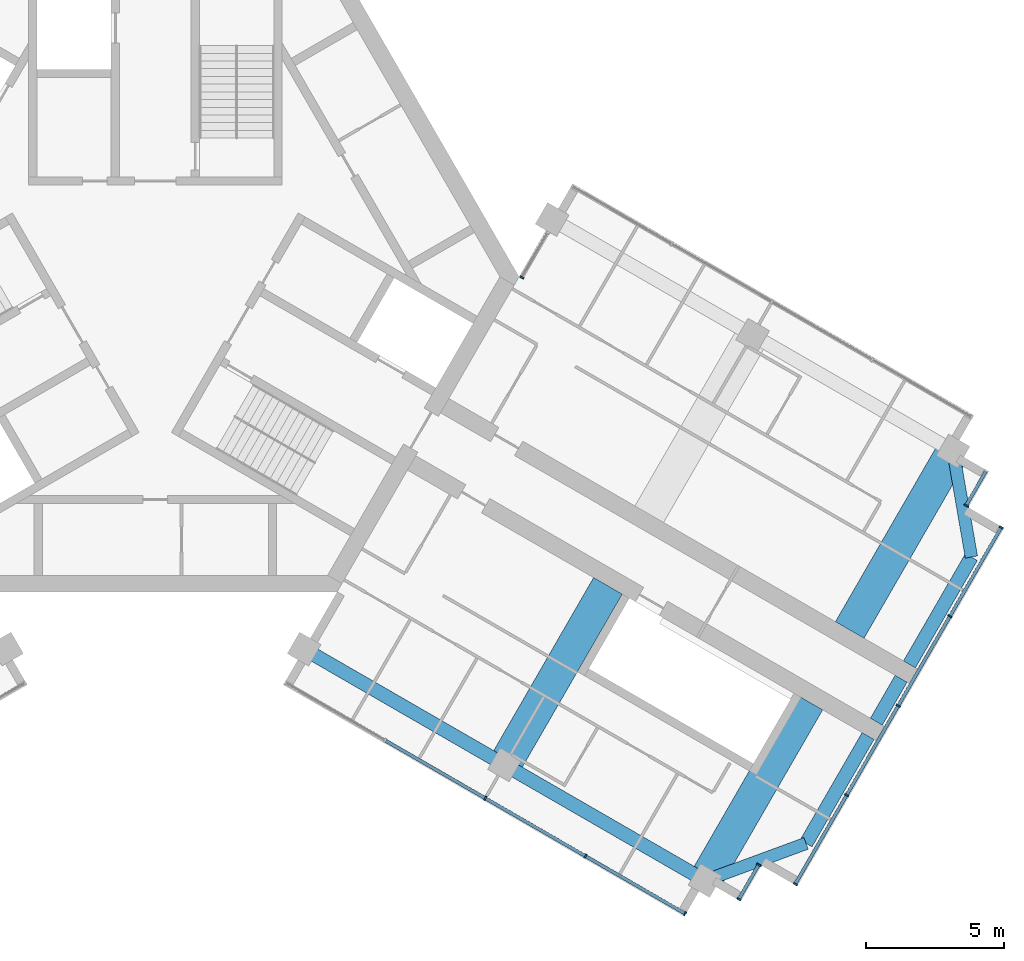
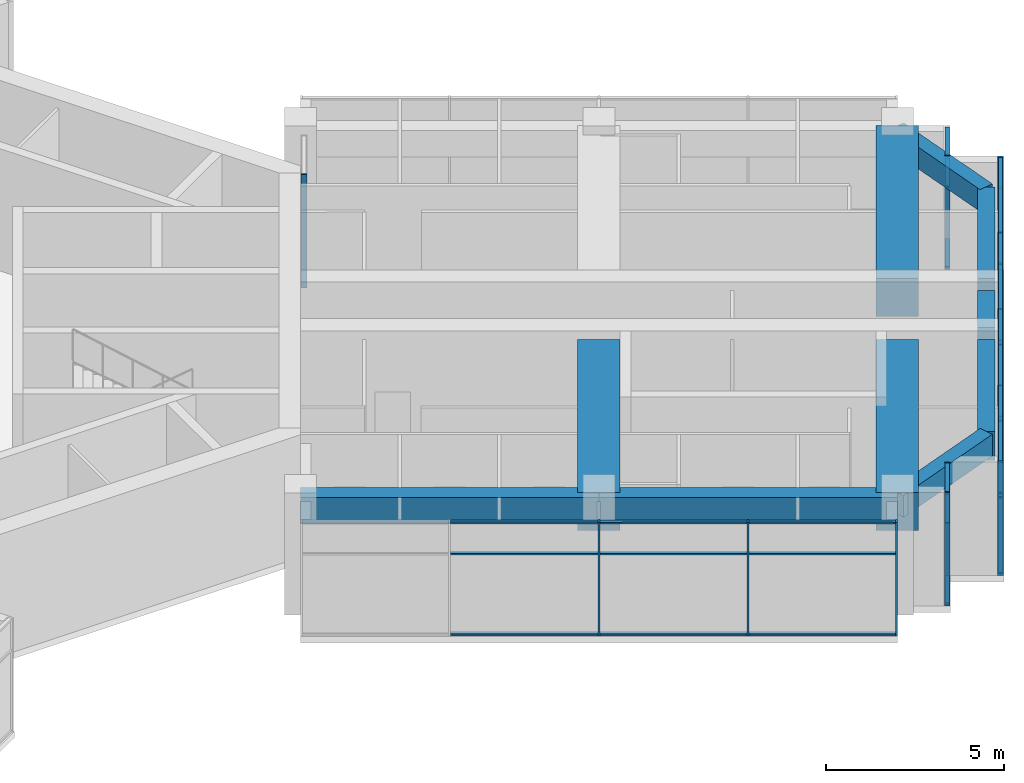
# One storey, part 4 of 14: 39 members, 10 beams, 5 elements without a shape of their own.
"""IFC4 building model written with IfcOpenShell, lengths in metres."""

from ifc_helpers import new_model, si_unit, direction, frame, origin, origin_2d, place, context, subcontext, project, spatial, rectangle, extrude, material, material_profile, profile_set, type_object, element, aggregate, save


model = new_model("IFC4")

# Units and contexts
model_context = context("Model", 3, precision=1e-05, world=origin(), true_north=direction((0.0, 1.0)))
body_context = subcontext(model_context, "Body", "Model", "MODEL_VIEW")
ifc_project = project(units=[si_unit("LENGTHUNIT", "METRE"), si_unit("AREAUNIT", "SQUARE_METRE"), si_unit("VOLUMEUNIT", "CUBIC_METRE"), si_unit("PLANEANGLEUNIT", "RADIAN"), si_unit("MASSUNIT", "GRAM", prefix="KILO")], contexts=[model_context])

# Site, building, storey
site_placement = place(None, origin())
site = spatial("IfcSite", under=ifc_project, at=site_placement, CompositionType="ELEMENT")
building_placement = place(site_placement, origin())
building = spatial("IfcBuilding", under=site, at=building_placement, Name="Impinga Residences", CompositionType="ELEMENT")
storey_placement = place(building_placement, frame((0.0, 0.0, 291.550048828125)))
storey = spatial("IfcBuildingStorey", under=building, at=storey_placement, Name="L73", CompositionType="ELEMENT", Elevation=291.550048828125)

# Beams
ifc_material_1 = material(Name="Concrete C60/75", Category="concrete")
ifc_material_profile_1 = material_profile(ifc_material_1, rectangle(XDim=0.449951171875, YDim=0.75, at=origin_2d()), Name="RC 450x750")
ifc_profile_set_1 = profile_set([ifc_material_profile_1], Name="Concrete C60/75")
beam_type_1 = type_object("IfcBeamType", Name="CB1 450x750 wing end cantilever beam", PredefinedType="BEAM", material=ifc_profile_set_1)
beam_1_placement = place(storey_placement, frame((28.94921875, -6.321533203125, 3.52490234375), z_axis=(0.170296298948, -0.985392901621, 0.0), x_axis=(0.985392901621, 0.170296298948, 0.0)))
element("IfcBeam", 1, at=beam_1_placement, inside=storey, type_object=beam_type_1, Name="Beam CB1 EB E3-EX level L74", PredefinedType="BEAM", context=body_context, shape_type="SweptSolid", body=[
    extrude(rectangle(XDim=0.449951171875, YDim=0.75, at=origin_2d()), origin(), (0.0, 0.0, 1.0), 3.9052734375),
])
beam_2_placement = place(storey_placement, frame((19.94921875, -21.909912109375, 3.52490234375), z_axis=(0.93854043338, 0.345169313396, 0.0), x_axis=(-0.345169313396, 0.93854043338, 0.0)))
element("IfcBeam", 2, at=beam_2_placement, inside=storey, type_object=beam_type_1, Name="Beam CB1 EE E3-EX level L74", PredefinedType="BEAM", context=body_context, shape_type="SweptSolid", body=[
    extrude(rectangle(XDim=0.449951171875, YDim=0.75, at=origin_2d()), origin(), (0.0, 0.0, 1.0), 3.905029296875),
])
ifc_material_profile_2 = material_profile(ifc_material_1, rectangle(XDim=1.199951171875, YDim=1.300048828125, at=origin_2d()), Name="RC 1200x1300")
ifc_profile_set_2 = profile_set([ifc_material_profile_2], Name="Concrete C60/75")
beam_type_2 = type_object("IfcBeamType", Name="CG2 1200x1300 cross girder on a wing bay line", PredefinedType="BEAM", material=ifc_profile_set_2)
for number, where, z_axis, x_axis, name in (
    (3, (25.19921875, -12.816650390625, 3.25), (0.500004234368, 0.866022959057, 0.0), (-0.866022959057, 0.500004234368, 0.0), "Beam CG2 E3 EC/EA level L74"),
    (4, (16.424560546875, -11.21484375, 3.25), (-0.500004234368, -0.866022959057, 0.0), (0.866022959057, -0.500004234368, 0.0), "Beam CG2 E2 EC/EF level L74"),
    (5, (23.69921875, -15.414794921875, 3.25), (-0.500004234368, -0.866022959057, 0.0), (0.866022959057, -0.500004234368, 0.0), "Beam CG2 E3 EC/EF level L74"),
):
    element("IfcBeam", number, at=place(storey_placement, frame(where, z_axis=z_axis, x_axis=x_axis)), inside=storey, type_object=beam_type_2, Name=name, PredefinedType="BEAM", context=body_context, shape_type="SweptSolid", body=[
        extrude(rectangle(XDim=1.199951171875, YDim=1.300048828125, at=origin_2d()), origin(), (0.0, 0.0, 1.0), 7.5),
    ])

# Curtain wall, member
ifc_material_2 = material(Name="Aluminium stick curtain wall", Category="aluminium")
curtain_wall_type = type_object("IfcCurtainWallType", Name="CW3 penthouse curtain wall", PredefinedType="USERDEFINED", material=ifc_material_2)
curtain_wall_1_placement = place(storey_placement, origin())
curtain_wall_1 = element("IfcCurtainWall", 6, at=curtain_wall_1_placement, inside=storey, type_object=curtain_wall_type, Name="Curtain wall CW3 L73", ObjectType="STICK CURTAIN WALL", PredefinedType="USERDEFINED")
ifc_material_3 = material(Name="Aluminium mullion", Category="aluminium")
ifc_material_profile_3 = material_profile(ifc_material_3, rectangle(XDim=0.06005859375, YDim=0.159912109375, at=origin_2d()), Name="60x160 mullion")
ifc_profile_set_3 = profile_set([ifc_material_profile_3], Name="Aluminium mullion")
member_type_1 = type_object("IfcMemberType", Name="CW3-M mullion 60x160", PredefinedType="MULLION", material=ifc_profile_set_3)
member_1_placement = place(storey_placement, frame((29.4267578125, -8.294677734375, 0.0), z_axis=(0.0, 0.0, 1.0), x_axis=(-0.500000030502, -0.866025386174, 0.0)))
member_1 = element("IfcMember", 7, at=member_1_placement, type_object=member_type_1, Name="CW3 mullion 2", PredefinedType="MULLION", context=body_context, shape_type="SweptSolid", body=[
    extrude(rectangle(XDim=0.06005859375, YDim=0.159912109375, at=origin_2d()), origin(), (0.0, 0.0, 1.0), 3.89990234375),
])

# Curtain wall, members
curtain_wall_2_placement = place(storey_placement, origin())
curtain_wall_2 = element("IfcCurtainWall", 8, at=curtain_wall_2_placement, inside=storey, type_object=curtain_wall_type, Name="Curtain wall CW3 L73", ObjectType="STICK CURTAIN WALL", PredefinedType="USERDEFINED")
member_2_placement = place(storey_placement, frame((30.69580078125, -9.0966796875, 0.0), z_axis=(0.0, 0.0, 1.0), x_axis=(-0.500000001632, -0.866025402842, 0.0)))
member_2 = element("IfcMember", 9, at=member_2_placement, type_object=member_type_1, Name="CW3 mullion 1", PredefinedType="MULLION", context=body_context, shape_type="SweptSolid", body=[
    extrude(rectangle(XDim=0.06005859375, YDim=0.159912109375, at=origin_2d()), origin(), (0.0, 0.0, 1.0), 3.89990234375),
])
member_3_placement = place(storey_placement, frame((28.835693359375, -12.318115234375, 0.0), z_axis=(0.0, 0.0, 1.0), x_axis=(-0.500000001632, -0.866025402842, 0.0)))
member_3 = element("IfcMember", 10, at=member_3_placement, type_object=member_type_1, Name="CW3 mullion 2", PredefinedType="MULLION", context=body_context, shape_type="SweptSolid", body=[
    extrude(rectangle(XDim=0.06005859375, YDim=0.159912109375, at=origin_2d()), origin(), (0.0, 0.0, 1.0), 3.89990234375),
])
member_4_placement = place(storey_placement, frame((26.960693359375, -15.565673828125, 0.0), z_axis=(0.0, 0.0, 1.0), x_axis=(-0.500000001632, -0.866025402842, 0.0)))
member_4 = element("IfcMember", 11, at=member_4_placement, type_object=member_type_1, Name="CW3 mullion 3", PredefinedType="MULLION", context=body_context, shape_type="SweptSolid", body=[
    extrude(rectangle(XDim=0.06005859375, YDim=0.159912109375, at=origin_2d()), origin(), (0.0, 0.0, 1.0), 3.89990234375),
])
member_5_placement = place(storey_placement, frame((25.085693359375, -18.8134765625, 0.0), z_axis=(0.0, 0.0, 1.0), x_axis=(-0.500000001632, -0.866025402842, 0.0)))
member_5 = element("IfcMember", 12, at=member_5_placement, type_object=member_type_1, Name="CW3 mullion 4", PredefinedType="MULLION", context=body_context, shape_type="SweptSolid", body=[
    extrude(rectangle(XDim=0.06005859375, YDim=0.159912109375, at=origin_2d()), origin(), (0.0, 0.0, 1.0), 3.89990234375),
])
member_6_placement = place(storey_placement, frame((23.2255859375, -22.034912109375, 0.0), z_axis=(0.0, 0.0, 1.0), x_axis=(-0.500000001632, -0.866025402842, 0.0)))
member_6 = element("IfcMember", 13, at=member_6_placement, type_object=member_type_1, Name="CW3 mullion 5", PredefinedType="MULLION", context=body_context, shape_type="SweptSolid", body=[
    extrude(rectangle(XDim=0.06005859375, YDim=0.159912109375, at=origin_2d()), origin(), (0.0, 0.0, 1.0), 3.89990234375),
])

curtain_wall_3_placement = place(storey_placement, origin())
curtain_wall_3 = element("IfcCurtainWall", 14, at=curtain_wall_3_placement, inside=storey, type_object=curtain_wall_type, Name="Curtain wall CW3 L73", ObjectType="STICK CURTAIN WALL", PredefinedType="USERDEFINED")
member_7_placement = place(storey_placement, frame((21.896728515625, -21.3369140625, 0.0), z_axis=(0.0, 0.0, 1.0), x_axis=(-0.500000030502, -0.866025386174, 0.0)))
member_7 = element("IfcMember", 15, at=member_7_placement, type_object=member_type_1, Name="CW3 mullion 1", PredefinedType="MULLION", context=body_context, shape_type="SweptSolid", body=[
    extrude(rectangle(XDim=0.06005859375, YDim=0.159912109375, at=origin_2d()), origin(), (0.0, 0.0, 1.0), 3.89990234375),
])
member_8_placement = place(storey_placement, frame((21.1767578125, -22.583984375, 0.0), z_axis=(0.0, 0.0, 1.0), x_axis=(-0.500000030502, -0.866025386174, 0.0)))
member_8 = element("IfcMember", 16, at=member_8_placement, type_object=member_type_1, Name="CW3 mullion 2", PredefinedType="MULLION", context=body_context, shape_type="SweptSolid", body=[
    extrude(rectangle(XDim=0.06005859375, YDim=0.159912109375, at=origin_2d()), origin(), (0.0, 0.0, 1.0), 3.89990234375),
])

curtain_wall_4_placement = place(storey_placement, origin())
curtain_wall_4 = element("IfcCurtainWall", 17, at=curtain_wall_4_placement, inside=storey, type_object=curtain_wall_type, Name="Curtain wall CW3 L73", ObjectType="STICK CURTAIN WALL", PredefinedType="USERDEFINED")
member_9_placement = place(storey_placement, frame((19.22314453125, -23.107421875, 0.0), z_axis=(0.0, 0.0, 1.0), x_axis=(-0.866025407005, 0.499999994423, 0.0)))
member_9 = element("IfcMember", 18, at=member_9_placement, type_object=member_type_1, Name="CW3 mullion 1", PredefinedType="MULLION", context=body_context, shape_type="SweptSolid", body=[
    extrude(rectangle(XDim=0.06005859375, YDim=0.159912109375, at=origin_2d()), origin(), (0.0, 0.0, 1.0), 3.89990234375),
])
member_10_placement = place(storey_placement, frame((15.61181640625, -21.0224609375, 0.0), z_axis=(0.0, 0.0, 1.0), x_axis=(-0.866025407005, 0.499999994423, 0.0)))
member_10 = element("IfcMember", 19, at=member_10_placement, type_object=member_type_1, Name="CW3 mullion 2", PredefinedType="MULLION", context=body_context, shape_type="SweptSolid", body=[
    extrude(rectangle(XDim=0.06005859375, YDim=0.159912109375, at=origin_2d()), origin(), (0.0, 0.0, 1.0), 3.89990234375),
])
member_11_placement = place(storey_placement, frame((11.974609375, -18.92236328125, 0.0), z_axis=(0.0, 0.0, 1.0), x_axis=(-0.866025407005, 0.499999994423, 0.0)))
member_11 = element("IfcMember", 20, at=member_11_placement, type_object=member_type_1, Name="CW3 mullion 3", PredefinedType="MULLION", context=body_context, shape_type="SweptSolid", body=[
    extrude(rectangle(XDim=0.06005859375, YDim=0.159912109375, at=origin_2d()), origin(), (0.0, 0.0, 1.0), 3.89990234375),
])

# Curtain wall, member
curtain_wall_5_placement = place(storey_placement, origin())
curtain_wall_5 = element("IfcCurtainWall", 21, at=curtain_wall_5_placement, inside=storey, type_object=curtain_wall_type, Name="Curtain wall CW3 L73", ObjectType="STICK CURTAIN WALL", PredefinedType="USERDEFINED")
member_12_placement = place(storey_placement, frame((13.301513671875, -0.02392578125, 0.0), z_axis=(0.0, 0.0, 1.0), x_axis=(0.50000010257, 0.866025344565, 0.0)))
member_12 = element("IfcMember", 22, at=member_12_placement, type_object=member_type_1, Name="CW3 mullion 1", PredefinedType="MULLION", context=body_context, shape_type="SweptSolid", body=[
    extrude(rectangle(XDim=0.06005859375, YDim=0.159912109375, at=origin_2d()), origin(), (0.0, 0.0, 1.0), 3.89990234375),
])
aggregate(curtain_wall_5, [member_12])

# Member
ifc_material_4 = material(Name="Aluminium transom", Category="aluminium")
ifc_material_profile_4 = material_profile(ifc_material_4, rectangle(XDim=0.06005859375, YDim=0.1201171875, at=origin_2d()), Name="60x120 transom")
ifc_profile_set_4 = profile_set([ifc_material_profile_4], Name="Aluminium transom")
member_type_2 = type_object("IfcMemberType", Name="CW3-T transom 60x120", PredefinedType="USERDEFINED", material=ifc_profile_set_4)
member_13_placement = place(storey_placement, frame((30.131591796875, -7.073486328125, 0.030029296875), z_axis=(-0.499982807329, -0.86603532975, 0.0), x_axis=(0.0, 0.0, 1.0)))
member_13 = element("IfcMember", 23, at=member_13_placement, type_object=member_type_2, Name="CW3 transom 1.1", ObjectType="TRANSOM", PredefinedType="USERDEFINED", context=body_context, shape_type="SweptSolid", body=[
    extrude(rectangle(XDim=0.06005859375, YDim=0.1201171875, at=origin_2d()), origin(), (0.0, 0.0, 1.0), 1.3798828125),
])

member_14_placement = place(storey_placement, frame((30.131591796875, -7.073486328125, 2.800048828125), z_axis=(-0.499982807329, -0.86603532975, 0.0), x_axis=(0.0, 0.0, 1.0)))
member_14 = element("IfcMember", 24, at=member_14_placement, type_object=member_type_2, Name="CW3 transom 1.2", ObjectType="TRANSOM", PredefinedType="USERDEFINED", context=body_context, shape_type="SweptSolid", body=[
    extrude(rectangle(XDim=0.06005859375, YDim=0.1201171875, at=origin_2d()), origin(), (0.0, 0.0, 1.0), 1.3798828125),
])

member_15_placement = place(storey_placement, frame((30.131591796875, -7.073486328125, 3.869873046875), z_axis=(-0.499982807329, -0.86603532975, 0.0), x_axis=(0.0, 0.0, 1.0)))
member_15 = element("IfcMember", 25, at=member_15_placement, type_object=member_type_2, Name="CW3 transom 1.3", ObjectType="TRANSOM", PredefinedType="USERDEFINED", context=body_context, shape_type="SweptSolid", body=[
    extrude(rectangle(XDim=0.06005859375, YDim=0.1201171875, at=origin_2d()), origin(), (0.0, 0.0, 1.0), 1.3798828125),
])

aggregate(curtain_wall_1, [member_1, member_13, member_14, member_15])

member_16_placement = place(storey_placement, frame((30.6806640625, -9.12255859375, 0.030029296875), z_axis=(-0.500013080017, -0.866017851902, 0.0), x_axis=(0.0, 0.0, 1.0)))
member_16 = element("IfcMember", 26, at=member_16_placement, type_object=member_type_2, Name="CW3 transom 1.1", ObjectType="TRANSOM", PredefinedType="USERDEFINED", context=body_context, shape_type="SweptSolid", body=[
    extrude(rectangle(XDim=0.06005859375, YDim=0.1201171875, at=origin_2d()), origin(), (0.0, 0.0, 1.0), 3.66015625),
])

member_17_placement = place(storey_placement, frame((30.6806640625, -9.12255859375, 2.800048828125), z_axis=(-0.500013080017, -0.866017851902, 0.0), x_axis=(0.0, 0.0, 1.0)))
member_17 = element("IfcMember", 27, at=member_17_placement, type_object=member_type_2, Name="CW3 transom 1.2", ObjectType="TRANSOM", PredefinedType="USERDEFINED", context=body_context, shape_type="SweptSolid", body=[
    extrude(rectangle(XDim=0.06005859375, YDim=0.1201171875, at=origin_2d()), origin(), (0.0, 0.0, 1.0), 3.66015625),
])

member_18_placement = place(storey_placement, frame((30.6806640625, -9.12255859375, 3.869873046875), z_axis=(-0.500013080017, -0.866017851902, 0.0), x_axis=(0.0, 0.0, 1.0)))
member_18 = element("IfcMember", 28, at=member_18_placement, type_object=member_type_2, Name="CW3 transom 1.3", ObjectType="TRANSOM", PredefinedType="USERDEFINED", context=body_context, shape_type="SweptSolid", body=[
    extrude(rectangle(XDim=0.06005859375, YDim=0.1201171875, at=origin_2d()), origin(), (0.0, 0.0, 1.0), 3.66015625),
])

member_19_placement = place(storey_placement, frame((28.82080078125, -12.34423828125, 0.030029296875), z_axis=(-0.500052713345, -0.865994967581, 0.0), x_axis=(0.0, 0.0, 1.0)))
member_19 = element("IfcMember", 29, at=member_19_placement, type_object=member_type_2, Name="CW3 transom 2.1", ObjectType="TRANSOM", PredefinedType="USERDEFINED", context=body_context, shape_type="SweptSolid", body=[
    extrude(rectangle(XDim=0.06005859375, YDim=0.1201171875, at=origin_2d()), origin(), (0.0, 0.0, 1.0), 3.68994140625),
])

member_20_placement = place(storey_placement, frame((28.82080078125, -12.34423828125, 2.800048828125), z_axis=(-0.500052713345, -0.865994967581, 0.0), x_axis=(0.0, 0.0, 1.0)))
member_20 = element("IfcMember", 30, at=member_20_placement, type_object=member_type_2, Name="CW3 transom 2.2", ObjectType="TRANSOM", PredefinedType="USERDEFINED", context=body_context, shape_type="SweptSolid", body=[
    extrude(rectangle(XDim=0.06005859375, YDim=0.1201171875, at=origin_2d()), origin(), (0.0, 0.0, 1.0), 3.68994140625),
])

member_21_placement = place(storey_placement, frame((28.82080078125, -12.34423828125, 3.869873046875), z_axis=(-0.500052713345, -0.865994967581, 0.0), x_axis=(0.0, 0.0, 1.0)))
member_21 = element("IfcMember", 31, at=member_21_placement, type_object=member_type_2, Name="CW3 transom 2.3", ObjectType="TRANSOM", PredefinedType="USERDEFINED", context=body_context, shape_type="SweptSolid", body=[
    extrude(rectangle(XDim=0.06005859375, YDim=0.1201171875, at=origin_2d()), origin(), (0.0, 0.0, 1.0), 3.68994140625),
])

member_22_placement = place(storey_placement, frame((26.94580078125, -15.591796875, 0.030029296875), z_axis=(-0.500052713345, -0.865994967581, 0.0), x_axis=(0.0, 0.0, 1.0)))
member_22 = element("IfcMember", 32, at=member_22_placement, type_object=member_type_2, Name="CW3 transom 3.1", ObjectType="TRANSOM", PredefinedType="USERDEFINED", context=body_context, shape_type="SweptSolid", body=[
    extrude(rectangle(XDim=0.06005859375, YDim=0.1201171875, at=origin_2d()), origin(), (0.0, 0.0, 1.0), 3.68994140625),
])

member_23_placement = place(storey_placement, frame((26.94580078125, -15.591796875, 2.800048828125), z_axis=(-0.500052713345, -0.865994967581, 0.0), x_axis=(0.0, 0.0, 1.0)))
member_23 = element("IfcMember", 33, at=member_23_placement, type_object=member_type_2, Name="CW3 transom 3.2", ObjectType="TRANSOM", PredefinedType="USERDEFINED", context=body_context, shape_type="SweptSolid", body=[
    extrude(rectangle(XDim=0.06005859375, YDim=0.1201171875, at=origin_2d()), origin(), (0.0, 0.0, 1.0), 3.68994140625),
])

member_24_placement = place(storey_placement, frame((26.94580078125, -15.591796875, 3.869873046875), z_axis=(-0.500052713345, -0.865994967581, 0.0), x_axis=(0.0, 0.0, 1.0)))
member_24 = element("IfcMember", 34, at=member_24_placement, type_object=member_type_2, Name="CW3 transom 3.3", ObjectType="TRANSOM", PredefinedType="USERDEFINED", context=body_context, shape_type="SweptSolid", body=[
    extrude(rectangle(XDim=0.06005859375, YDim=0.1201171875, at=origin_2d()), origin(), (0.0, 0.0, 1.0), 3.68994140625),
])

member_25_placement = place(storey_placement, frame((25.07080078125, -18.83935546875, 0.030029296875), z_axis=(-0.500013080017, -0.866017851902, 0.0), x_axis=(0.0, 0.0, 1.0)))
member_25 = element("IfcMember", 35, at=member_25_placement, type_object=member_type_2, Name="CW3 transom 4.1", ObjectType="TRANSOM", PredefinedType="USERDEFINED", context=body_context, shape_type="SweptSolid", body=[
    extrude(rectangle(XDim=0.06005859375, YDim=0.1201171875, at=origin_2d()), origin(), (0.0, 0.0, 1.0), 3.66015625),
])

member_26_placement = place(storey_placement, frame((25.07080078125, -18.83935546875, 2.800048828125), z_axis=(-0.500013080017, -0.866017851902, 0.0), x_axis=(0.0, 0.0, 1.0)))
member_26 = element("IfcMember", 36, at=member_26_placement, type_object=member_type_2, Name="CW3 transom 4.2", ObjectType="TRANSOM", PredefinedType="USERDEFINED", context=body_context, shape_type="SweptSolid", body=[
    extrude(rectangle(XDim=0.06005859375, YDim=0.1201171875, at=origin_2d()), origin(), (0.0, 0.0, 1.0), 3.66015625),
])

member_27_placement = place(storey_placement, frame((25.07080078125, -18.83935546875, 3.869873046875), z_axis=(-0.500013080017, -0.866017851902, 0.0), x_axis=(0.0, 0.0, 1.0)))
member_27 = element("IfcMember", 37, at=member_27_placement, type_object=member_type_2, Name="CW3 transom 4.3", ObjectType="TRANSOM", PredefinedType="USERDEFINED", context=body_context, shape_type="SweptSolid", body=[
    extrude(rectangle(XDim=0.06005859375, YDim=0.1201171875, at=origin_2d()), origin(), (0.0, 0.0, 1.0), 3.66015625),
])

aggregate(curtain_wall_2, [member_2, member_3, member_4, member_5, member_6, member_16, member_17, member_18, member_19, member_20, member_21, member_22, member_23, member_24, member_25, member_26, member_27])

member_28_placement = place(storey_placement, frame((21.881591796875, -21.363037109375, 0.030029296875), z_axis=(-0.499982807329, -0.86603532975, 0.0), x_axis=(0.0, 0.0, 1.0)))
member_28 = element("IfcMember", 38, at=member_28_placement, type_object=member_type_2, Name="CW3 transom 1.1", ObjectType="TRANSOM", PredefinedType="USERDEFINED", context=body_context, shape_type="SweptSolid", body=[
    extrude(rectangle(XDim=0.06005859375, YDim=0.1201171875, at=origin_2d()), origin(), (0.0, 0.0, 1.0), 1.3798828125),
])

member_29_placement = place(storey_placement, frame((21.881591796875, -21.363037109375, 2.800048828125), z_axis=(-0.499982807329, -0.86603532975, 0.0), x_axis=(0.0, 0.0, 1.0)))
member_29 = element("IfcMember", 39, at=member_29_placement, type_object=member_type_2, Name="CW3 transom 1.2", ObjectType="TRANSOM", PredefinedType="USERDEFINED", context=body_context, shape_type="SweptSolid", body=[
    extrude(rectangle(XDim=0.06005859375, YDim=0.1201171875, at=origin_2d()), origin(), (0.0, 0.0, 1.0), 1.3798828125),
])

member_30_placement = place(storey_placement, frame((21.881591796875, -21.363037109375, 3.869873046875), z_axis=(-0.499982807329, -0.86603532975, 0.0), x_axis=(0.0, 0.0, 1.0)))
member_30 = element("IfcMember", 40, at=member_30_placement, type_object=member_type_2, Name="CW3 transom 1.3", ObjectType="TRANSOM", PredefinedType="USERDEFINED", context=body_context, shape_type="SweptSolid", body=[
    extrude(rectangle(XDim=0.06005859375, YDim=0.1201171875, at=origin_2d()), origin(), (0.0, 0.0, 1.0), 1.3798828125),
])

aggregate(curtain_wall_3, [member_7, member_8, member_28, member_29, member_30])

member_31_placement = place(storey_placement, frame((19.197265625, -23.092529296875, 0.030029296875), z_axis=(-0.866004557827, 0.500036104519, 0.0), x_axis=(0.0, 0.0, 1.0)))
member_31 = element("IfcMember", 41, at=member_31_placement, type_object=member_type_2, Name="CW3 transom 1.1", ObjectType="TRANSOM", PredefinedType="USERDEFINED", context=body_context, shape_type="SweptSolid", body=[
    extrude(rectangle(XDim=0.06005859375, YDim=0.1201171875, at=origin_2d()), origin(), (0.0, 0.0, 1.0), 4.110107421875),
])

member_32_placement = place(storey_placement, frame((19.197265625, -23.092529296875, 2.800048828125), z_axis=(-0.866004557827, 0.500036104519, 0.0), x_axis=(0.0, 0.0, 1.0)))
member_32 = element("IfcMember", 42, at=member_32_placement, type_object=member_type_2, Name="CW3 transom 1.2", ObjectType="TRANSOM", PredefinedType="USERDEFINED", context=body_context, shape_type="SweptSolid", body=[
    extrude(rectangle(XDim=0.06005859375, YDim=0.1201171875, at=origin_2d()), origin(), (0.0, 0.0, 1.0), 4.110107421875),
])

member_33_placement = place(storey_placement, frame((19.197265625, -23.092529296875, 3.869873046875), z_axis=(-0.866004557827, 0.500036104519, 0.0), x_axis=(0.0, 0.0, 1.0)))
member_33 = element("IfcMember", 43, at=member_33_placement, type_object=member_type_2, Name="CW3 transom 1.3", ObjectType="TRANSOM", PredefinedType="USERDEFINED", context=body_context, shape_type="SweptSolid", body=[
    extrude(rectangle(XDim=0.06005859375, YDim=0.1201171875, at=origin_2d()), origin(), (0.0, 0.0, 1.0), 4.110107421875),
])

member_34_placement = place(storey_placement, frame((15.5859375, -21.00732421875, 0.030029296875), z_axis=(-0.866050071143, 0.499957272447, 0.0), x_axis=(0.0, 0.0, 1.0)))
member_34 = element("IfcMember", 44, at=member_34_placement, type_object=member_type_2, Name="CW3 transom 2.1", ObjectType="TRANSOM", PredefinedType="USERDEFINED", context=body_context, shape_type="SweptSolid", body=[
    extrude(rectangle(XDim=0.06005859375, YDim=0.1201171875, at=origin_2d()), origin(), (0.0, 0.0, 1.0), 4.139892578125),
])

member_35_placement = place(storey_placement, frame((15.5859375, -21.00732421875, 2.800048828125), z_axis=(-0.866050071143, 0.499957272447, 0.0), x_axis=(0.0, 0.0, 1.0)))
member_35 = element("IfcMember", 45, at=member_35_placement, type_object=member_type_2, Name="CW3 transom 2.2", ObjectType="TRANSOM", PredefinedType="USERDEFINED", context=body_context, shape_type="SweptSolid", body=[
    extrude(rectangle(XDim=0.06005859375, YDim=0.1201171875, at=origin_2d()), origin(), (0.0, 0.0, 1.0), 4.139892578125),
])

member_36_placement = place(storey_placement, frame((15.5859375, -21.00732421875, 3.869873046875), z_axis=(-0.866050071143, 0.499957272447, 0.0), x_axis=(0.0, 0.0, 1.0)))
member_36 = element("IfcMember", 46, at=member_36_placement, type_object=member_type_2, Name="CW3 transom 2.3", ObjectType="TRANSOM", PredefinedType="USERDEFINED", context=body_context, shape_type="SweptSolid", body=[
    extrude(rectangle(XDim=0.06005859375, YDim=0.1201171875, at=origin_2d()), origin(), (0.0, 0.0, 1.0), 4.139892578125),
])

member_37_placement = place(storey_placement, frame((11.94873046875, -18.907470703125, 0.030029296875), z_axis=(-0.866024536972, 0.500001501361, 0.0), x_axis=(0.0, 0.0, 1.0)))
member_37 = element("IfcMember", 47, at=member_37_placement, type_object=member_type_2, Name="CW3 transom 3.1", ObjectType="TRANSOM", PredefinedType="USERDEFINED", context=body_context, shape_type="SweptSolid", body=[
    extrude(rectangle(XDim=0.06005859375, YDim=0.1201171875, at=origin_2d()), origin(), (0.0, 0.0, 1.0), 4.14013671875),
])

member_38_placement = place(storey_placement, frame((11.94873046875, -18.907470703125, 2.800048828125), z_axis=(-0.866024536972, 0.500001501361, 0.0), x_axis=(0.0, 0.0, 1.0)))
member_38 = element("IfcMember", 48, at=member_38_placement, type_object=member_type_2, Name="CW3 transom 3.2", ObjectType="TRANSOM", PredefinedType="USERDEFINED", context=body_context, shape_type="SweptSolid", body=[
    extrude(rectangle(XDim=0.06005859375, YDim=0.1201171875, at=origin_2d()), origin(), (0.0, 0.0, 1.0), 4.14013671875),
])

member_39_placement = place(storey_placement, frame((11.94873046875, -18.907470703125, 3.869873046875), z_axis=(-0.866024536972, 0.500001501361, 0.0), x_axis=(0.0, 0.0, 1.0)))
member_39 = element("IfcMember", 49, at=member_39_placement, type_object=member_type_2, Name="CW3 transom 3.3", ObjectType="TRANSOM", PredefinedType="USERDEFINED", context=body_context, shape_type="SweptSolid", body=[
    extrude(rectangle(XDim=0.06005859375, YDim=0.1201171875, at=origin_2d()), origin(), (0.0, 0.0, 1.0), 4.14013671875),
])

aggregate(curtain_wall_4, [member_9, member_10, member_11, member_31, member_32, member_33, member_34, member_35, member_36, member_37, member_38, member_39])

# Beams
ifc_material_profile_5 = material_profile(ifc_material_1, rectangle(XDim=0.5, YDim=1.0, at=origin_2d()), Name="RC 500x1000")
ifc_profile_set_5 = profile_set([ifc_material_profile_5], Name="Concrete C60/75")
beam_type_3 = type_object("IfcBeamType", Name="EB1 500x1000 wing end beam", PredefinedType="BEAM", material=ifc_profile_set_5)
beam_3_placement = place(storey_placement, frame((29.6142578125, -10.169677734375, 3.39990234375), z_axis=(-0.500013631625, -0.866017533419, 0.0), x_axis=(0.866017533419, -0.500013631625, 0.0)))
element("IfcBeam", 50, at=beam_3_placement, inside=storey, type_object=beam_type_3, Name="Beam EB1 EX2 level L74", PredefinedType="BEAM", context=body_context, shape_type="SweptSolid", body=[
    extrude(rectangle(XDim=0.5, YDim=1.0, at=origin_2d()), origin(), (0.0, 0.0, 1.0), 4.499755859375),
])
beam_4_placement = place(storey_placement, frame((27.064208984375, -14.58642578125, 3.39990234375), z_axis=(-0.499961193289, -0.866047807691, 0.0), x_axis=(0.866047807691, -0.499961193289, 0.0)))
element("IfcBeam", 51, at=beam_4_placement, inside=storey, type_object=beam_type_3, Name="Beam EB1 EX2 level L74", PredefinedType="BEAM", context=body_context, shape_type="SweptSolid", body=[
    extrude(rectangle(XDim=0.5, YDim=1.0, at=origin_2d()), origin(), (0.0, 0.0, 1.0), 1.800048828125),
])
beam_5_placement = place(storey_placement, frame((25.8642578125, -16.664794921875, 3.39990234375), z_axis=(-0.499990139034, -0.866031096941, 0.0), x_axis=(0.866031096941, -0.499990139034, 0.0)))
element("IfcBeam", 52, at=beam_5_placement, inside=storey, type_object=beam_type_3, Name="Beam EB1 EX2 level L74", PredefinedType="BEAM", context=body_context, shape_type="SweptSolid", body=[
    extrude(rectangle(XDim=0.5, YDim=1.0, at=origin_2d()), origin(), (0.0, 0.0, 1.0), 4.5),
])
ifc_material_profile_6 = material_profile(ifc_material_1, rectangle(XDim=0.5, YDim=0.89990234375, at=origin_2d()), Name="RC 500x900")
ifc_profile_set_6 = profile_set([ifc_material_profile_6], Name="Concrete C60/75")
beam_type_4 = type_object("IfcBeamType", Name="SB1 500x900 perimeter spandrel beam", PredefinedType="SPANDREL", material=ifc_profile_set_6)
for number, where, z_axis, x_axis, name in (
    (53, (5.39990234375, -13.510009765625, 3.449951171875), (0.86602925447, -0.499993330357, 0.0), (0.499993330357, 0.86602925447, 0.0), "Beam SB1 EF E1-E2 level L74"),
    (54, (12.674560546875, -17.7099609375, 3.449951171875), (0.86602925447, -0.499993330357, 0.0), (0.499993330357, 0.86602925447, 0.0), "Beam SB1 EF E2-E3 level L74"),
):
    element("IfcBeam", number, at=place(storey_placement, frame(where, z_axis=z_axis, x_axis=x_axis)), inside=storey, type_object=beam_type_4, Name=name, PredefinedType="SPANDREL", context=body_context, shape_type="SweptSolid", body=[
        extrude(rectangle(XDim=0.5, YDim=0.89990234375, at=origin_2d()), origin(), (0.0, 0.0, 1.0), 8.39990234375),
    ])

save(model, "model.ifc")
